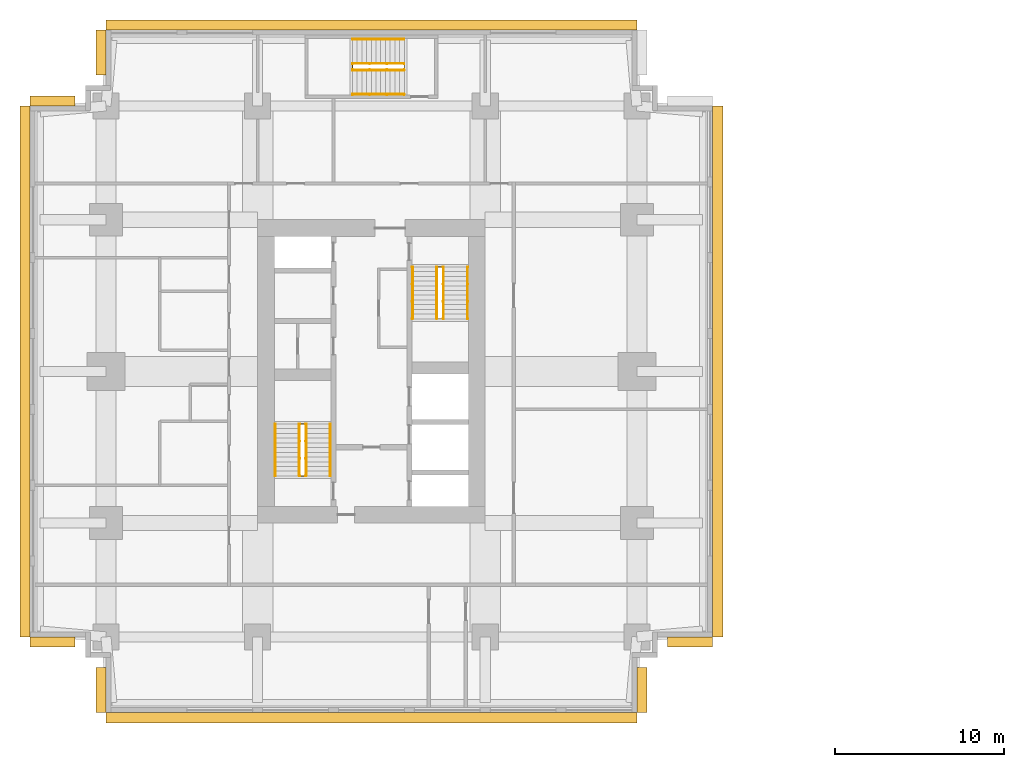
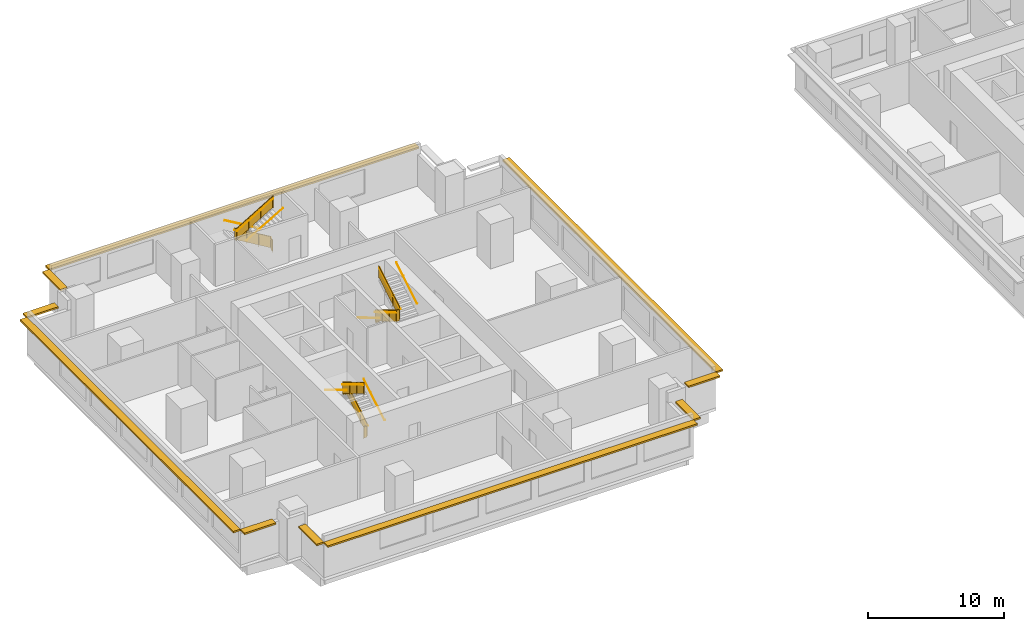
# One storey, part 10 of 11: 15 railings, 10 shading devices.
"""IFC4 building model written with IfcOpenShell, lengths in metres."""

from ifc_helpers import new_model, si_unit, direction, frame, origin, origin_2d, place, context, subcontext, project, spatial, polyline, rectangle, circle, outline, extrude, material, layer, layer_set, type_object, element, save


model = new_model("IFC4")

# Units and contexts
model_context = context("Model", 3, precision=1e-05, world=origin(), true_north=direction((0.0, 1.0)))
body_context = subcontext(model_context, "Body", "Model", "MODEL_VIEW")
ifc_project = project(units=[si_unit("LENGTHUNIT", "METRE"), si_unit("AREAUNIT", "SQUARE_METRE"), si_unit("VOLUMEUNIT", "CUBIC_METRE"), si_unit("PLANEANGLEUNIT", "RADIAN"), si_unit("MASSUNIT", "GRAM", prefix="KILO")], contexts=[model_context])

# Site, building, storey
site_placement = place(None, origin())
site = spatial("IfcSite", under=ifc_project, at=site_placement, CompositionType="ELEMENT")
building_placement = place(site_placement, origin())
building = spatial("IfcBuilding", under=site, at=building_placement, Name="Namib Vertical Campus", CompositionType="ELEMENT")
storey_placement = place(building_placement, frame((0.0, 0.0, 205.0)))
storey = spatial("IfcBuildingStorey", under=building, at=storey_placement, Name="L48", CompositionType="ELEMENT", Elevation=205.0)

# Railings
ifc_material_1 = material(Name="Steel handrail", Category="steel")
railing_type_1 = type_object("IfcRailingType", Name="Handrail 900", PredefinedType="HANDRAIL", material=ifc_material_1)
railing_1_placement = place(storey_placement, frame((17.800048828125, 14.050048828125, 0.166748046875)))
element("IfcRailing", 1, at=railing_1_placement, inside=storey, type_object=railing_type_1, Name="Handrail HR1 A-S1 L48 1", PredefinedType="HANDRAIL", context=body_context, shape_type="SweptSolid", body=[
    extrude(circle(Radius=0.02392578125, at=origin_2d()), frame((0.0, 0.0, 0.8759765625), z_axis=(0.0, 0.859290745958, 0.51148745235), x_axis=(-1.0, 0.0, 0.0)), (0.0, 0.0, 1.0), 3.584228515625),
    extrude(circle(Radius=0.008056640625, at=origin_2d()), frame((0.0, 0.0, 0.8759765625), z_axis=(1.0, 0.0, 0.0), x_axis=(0.0, 0.0, 1.0)), (0.0, 0.0, 1.0), 0.050048828125),
    extrude(circle(Radius=0.008056640625, at=origin_2d()), frame((0.0, 1.026611328125, 1.48681640625), z_axis=(1.0, 0.0, 0.0), x_axis=(0.0, 0.0, 1.0)), (0.0, 0.0, 1.0), 0.050048828125),
    extrude(circle(Radius=0.008056640625, at=origin_2d()), frame((0.0, 2.05322265625, 2.09814453125), z_axis=(1.0, 0.0, 0.0), x_axis=(0.0, 0.0, 1.0)), (0.0, 0.0, 1.0), 0.050048828125),
    extrude(circle(Radius=0.008056640625, at=origin_2d()), frame((0.0, 3.079833984375, 2.708984375), z_axis=(1.0, 0.0, 0.0), x_axis=(0.0, 0.0, 1.0)), (0.0, 0.0, 1.0), 0.050048828125),
])
railing_2_placement = place(storey_placement, frame((14.550048828125, 17.1298828125, 2.166748046875)))
element("IfcRailing", 2, at=railing_2_placement, inside=storey, type_object=railing_type_1, Name="Handrail HR1 A-S1 L48 2", PredefinedType="HANDRAIL", context=body_context, shape_type="SweptSolid", body=[
    extrude(circle(Radius=0.02392578125, at=origin_2d()), frame((0.0, 0.0, 0.8759765625), z_axis=(0.0, -0.859290745958, 0.51148745235), x_axis=(1.0, 0.0, 0.0)), (0.0, 0.0, 1.0), 3.584228515625),
    extrude(circle(Radius=0.008056640625, at=origin_2d()), frame((0.0, 0.0, 0.8759765625), z_axis=(-1.0, 0.0, 0.0), x_axis=(0.0, 0.0, 1.0)), (0.0, 0.0, 1.0), 0.050048828125),
    extrude(circle(Radius=0.008056640625, at=origin_2d()), frame((0.0, -1.026611328125, 1.48681640625), z_axis=(-1.0, 0.0, 0.0), x_axis=(0.0, 0.0, 1.0)), (0.0, 0.0, 1.0), 0.050048828125),
    extrude(circle(Radius=0.008056640625, at=origin_2d()), frame((0.0, -2.05322265625, 2.09814453125), z_axis=(-1.0, 0.0, 0.0), x_axis=(0.0, 0.0, 1.0)), (0.0, 0.0, 1.0), 0.050048828125),
    extrude(circle(Radius=0.008056640625, at=origin_2d()), frame((0.0, -3.079833984375, 2.708984375), z_axis=(-1.0, 0.0, 0.0), x_axis=(0.0, 0.0, 1.0)), (0.0, 0.0, 1.0), 0.050048828125),
])
railing_3_placement = place(storey_placement, frame((16.375, 14.050048828125, 0.166748046875)))
element("IfcRailing", 3, at=railing_3_placement, inside=storey, type_object=railing_type_1, Name="Handrail HR1 A-S1 L48 1 at the well", PredefinedType="HANDRAIL", context=body_context, shape_type="SweptSolid", body=[
    extrude(circle(Radius=0.02392578125, at=origin_2d()), frame((0.0, 0.0, 0.8759765625), z_axis=(0.0, 0.859290745958, 0.51148745235), x_axis=(-1.0, 0.0, 0.0)), (0.0, 0.0, 1.0), 3.584228515625),
    extrude(circle(Radius=0.008056640625, at=origin_2d()), frame((0.0, 0.0, 0.8759765625), z_axis=(-1.0, 0.0, 0.0), x_axis=(0.0, 0.0, 1.0)), (0.0, 0.0, 1.0), 0.0400390625),
    extrude(circle(Radius=0.008056640625, at=origin_2d()), frame((0.0, 1.026611328125, 1.48681640625), z_axis=(-1.0, 0.0, 0.0), x_axis=(0.0, 0.0, 1.0)), (0.0, 0.0, 1.0), 0.0400390625),
    extrude(circle(Radius=0.008056640625, at=origin_2d()), frame((0.0, 2.05322265625, 2.09814453125), z_axis=(-1.0, 0.0, 0.0), x_axis=(0.0, 0.0, 1.0)), (0.0, 0.0, 1.0), 0.0400390625),
    extrude(circle(Radius=0.008056640625, at=origin_2d()), frame((0.0, 3.079833984375, 2.708984375), z_axis=(-1.0, 0.0, 0.0), x_axis=(0.0, 0.0, 1.0)), (0.0, 0.0, 1.0), 0.0400390625),
])
railing_4_placement = place(storey_placement, frame((15.97509765625, 17.1298828125, 2.166748046875)))
element("IfcRailing", 4, at=railing_4_placement, inside=storey, type_object=railing_type_1, Name="Handrail HR1 A-S1 L48 2 at the well", PredefinedType="HANDRAIL", context=body_context, shape_type="SweptSolid", body=[
    extrude(circle(Radius=0.02392578125, at=origin_2d()), frame((0.0, 0.0, 0.8759765625), z_axis=(0.0, -0.859290745958, 0.51148745235), x_axis=(1.0, 0.0, 0.0)), (0.0, 0.0, 1.0), 3.584228515625),
    extrude(circle(Radius=0.008056640625, at=origin_2d()), frame((0.0, 0.0, 0.8759765625), z_axis=(1.0, 0.0, 0.0), x_axis=(0.0, 0.0, 1.0)), (0.0, 0.0, 1.0), 0.0400390625),
    extrude(circle(Radius=0.008056640625, at=origin_2d()), frame((0.0, -1.026611328125, 1.48681640625), z_axis=(1.0, 0.0, 0.0), x_axis=(0.0, 0.0, 1.0)), (0.0, 0.0, 1.0), 0.0400390625),
    extrude(circle(Radius=0.008056640625, at=origin_2d()), frame((0.0, -2.05322265625, 2.09814453125), z_axis=(1.0, 0.0, 0.0), x_axis=(0.0, 0.0, 1.0)), (0.0, 0.0, 1.0), 0.0400390625),
    extrude(circle(Radius=0.008056640625, at=origin_2d()), frame((0.0, -3.079833984375, 2.708984375), z_axis=(1.0, 0.0, 0.0), x_axis=(0.0, 0.0, 1.0)), (0.0, 0.0, 1.0), 0.0400390625),
])
railing_5_placement = place(storey_placement, frame((22.699951171875, 26.449951171875, 0.166748046875)))
element("IfcRailing", 5, at=railing_5_placement, inside=storey, type_object=railing_type_1, Name="Handrail HR1 A-S2 L48 1", PredefinedType="HANDRAIL", context=body_context, shape_type="SweptSolid", body=[
    extrude(circle(Radius=0.02392578125, at=origin_2d()), frame((0.0, 0.0, 0.8759765625), z_axis=(0.0, -0.859290745958, 0.51148745235), x_axis=(1.0, 0.0, 0.0)), (0.0, 0.0, 1.0), 3.584228515625),
    extrude(circle(Radius=0.008056640625, at=origin_2d()), frame((0.0, 0.0, 0.8759765625), z_axis=(-1.0, 0.0, 0.0), x_axis=(0.0, 0.0, 1.0)), (0.0, 0.0, 1.0), 0.050048828125),
    extrude(circle(Radius=0.008056640625, at=origin_2d()), frame((0.0, -1.026611328125, 1.48681640625), z_axis=(-1.0, 0.0, 0.0), x_axis=(0.0, 0.0, 1.0)), (0.0, 0.0, 1.0), 0.050048828125),
    extrude(circle(Radius=0.008056640625, at=origin_2d()), frame((0.0, -2.05322265625, 2.09814453125), z_axis=(-1.0, 0.0, 0.0), x_axis=(0.0, 0.0, 1.0)), (0.0, 0.0, 1.0), 0.050048828125),
    extrude(circle(Radius=0.008056640625, at=origin_2d()), frame((0.0, -3.079833984375, 2.708984375), z_axis=(-1.0, 0.0, 0.0), x_axis=(0.0, 0.0, 1.0)), (0.0, 0.0, 1.0), 0.050048828125),
])
railing_6_placement = place(storey_placement, frame((25.949951171875, 23.3701171875, 2.166748046875)))
element("IfcRailing", 6, at=railing_6_placement, inside=storey, type_object=railing_type_1, Name="Handrail HR1 A-S2 L48 2", PredefinedType="HANDRAIL", context=body_context, shape_type="SweptSolid", body=[
    extrude(circle(Radius=0.02392578125, at=origin_2d()), frame((0.0, 0.0, 0.8759765625), z_axis=(0.0, 0.859290745958, 0.51148745235), x_axis=(-1.0, 0.0, 0.0)), (0.0, 0.0, 1.0), 3.584228515625),
    extrude(circle(Radius=0.008056640625, at=origin_2d()), frame((0.0, 0.0, 0.8759765625), z_axis=(1.0, 0.0, 0.0), x_axis=(0.0, 0.0, 1.0)), (0.0, 0.0, 1.0), 0.050048828125),
    extrude(circle(Radius=0.008056640625, at=origin_2d()), frame((0.0, 1.026611328125, 1.48681640625), z_axis=(1.0, 0.0, 0.0), x_axis=(0.0, 0.0, 1.0)), (0.0, 0.0, 1.0), 0.050048828125),
    extrude(circle(Radius=0.008056640625, at=origin_2d()), frame((0.0, 2.05322265625, 2.09814453125), z_axis=(1.0, 0.0, 0.0), x_axis=(0.0, 0.0, 1.0)), (0.0, 0.0, 1.0), 0.050048828125),
    extrude(circle(Radius=0.008056640625, at=origin_2d()), frame((0.0, 3.079833984375, 2.708984375), z_axis=(1.0, 0.0, 0.0), x_axis=(0.0, 0.0, 1.0)), (0.0, 0.0, 1.0), 0.050048828125),
])
railing_7_placement = place(storey_placement, frame((24.125, 26.449951171875, 0.166748046875)))
element("IfcRailing", 7, at=railing_7_placement, inside=storey, type_object=railing_type_1, Name="Handrail HR1 A-S2 L48 1 at the well", PredefinedType="HANDRAIL", context=body_context, shape_type="SweptSolid", body=[
    extrude(circle(Radius=0.02392578125, at=origin_2d()), frame((0.0, 0.0, 0.8759765625), z_axis=(0.0, -0.859290745958, 0.51148745235), x_axis=(1.0, 0.0, 0.0)), (0.0, 0.0, 1.0), 3.584228515625),
    extrude(circle(Radius=0.008056640625, at=origin_2d()), frame((0.0, 0.0, 0.8759765625), z_axis=(1.0, 0.0, 0.0), x_axis=(0.0, 0.0, 1.0)), (0.0, 0.0, 1.0), 0.0400390625),
    extrude(circle(Radius=0.008056640625, at=origin_2d()), frame((0.0, -1.026611328125, 1.48681640625), z_axis=(1.0, 0.0, 0.0), x_axis=(0.0, 0.0, 1.0)), (0.0, 0.0, 1.0), 0.0400390625),
    extrude(circle(Radius=0.008056640625, at=origin_2d()), frame((0.0, -2.05322265625, 2.09814453125), z_axis=(1.0, 0.0, 0.0), x_axis=(0.0, 0.0, 1.0)), (0.0, 0.0, 1.0), 0.0400390625),
    extrude(circle(Radius=0.008056640625, at=origin_2d()), frame((0.0, -3.079833984375, 2.708984375), z_axis=(1.0, 0.0, 0.0), x_axis=(0.0, 0.0, 1.0)), (0.0, 0.0, 1.0), 0.0400390625),
])
railing_8_placement = place(storey_placement, frame((24.52490234375, 23.3701171875, 2.166748046875)))
element("IfcRailing", 8, at=railing_8_placement, inside=storey, type_object=railing_type_1, Name="Handrail HR1 A-S2 L48 2 at the well", PredefinedType="HANDRAIL", context=body_context, shape_type="SweptSolid", body=[
    extrude(circle(Radius=0.02392578125, at=origin_2d()), frame((0.0, 0.0, 0.8759765625), z_axis=(0.0, 0.859290745958, 0.51148745235), x_axis=(-1.0, 0.0, 0.0)), (0.0, 0.0, 1.0), 3.584228515625),
    extrude(circle(Radius=0.008056640625, at=origin_2d()), frame((0.0, 0.0, 0.8759765625), z_axis=(-1.0, 0.0, 0.0), x_axis=(0.0, 0.0, 1.0)), (0.0, 0.0, 1.0), 0.0400390625),
    extrude(circle(Radius=0.008056640625, at=origin_2d()), frame((0.0, 1.026611328125, 1.48681640625), z_axis=(-1.0, 0.0, 0.0), x_axis=(0.0, 0.0, 1.0)), (0.0, 0.0, 1.0), 0.0400390625),
    extrude(circle(Radius=0.008056640625, at=origin_2d()), frame((0.0, 2.05322265625, 2.09814453125), z_axis=(-1.0, 0.0, 0.0), x_axis=(0.0, 0.0, 1.0)), (0.0, 0.0, 1.0), 0.0400390625),
    extrude(circle(Radius=0.008056640625, at=origin_2d()), frame((0.0, 3.079833984375, 2.708984375), z_axis=(-1.0, 0.0, 0.0), x_axis=(0.0, 0.0, 1.0)), (0.0, 0.0, 1.0), 0.0400390625),
])
railing_9_placement = place(storey_placement, frame((22.199951171875, 39.949951171875, 0.166748046875)))
element("IfcRailing", 9, at=railing_9_placement, inside=storey, type_object=railing_type_1, Name="Handrail HR1 A-S3 L48 1", PredefinedType="HANDRAIL", context=body_context, shape_type="SweptSolid", body=[
    extrude(circle(Radius=0.02392578125, at=origin_2d()), frame((0.0, 0.0, 0.8759765625), z_axis=(-0.859290745958, 0.0, 0.51148745235), x_axis=(0.0, -1.0, 0.0)), (0.0, 0.0, 1.0), 3.584228515625),
    extrude(circle(Radius=0.008056640625, at=origin_2d()), frame((0.0, 0.0, 0.8759765625), z_axis=(0.0, 1.0, 0.0), x_axis=(0.0, 0.0, 1.0)), (0.0, 0.0, 1.0), 0.050048828125),
    extrude(circle(Radius=0.008056640625, at=origin_2d()), frame((-1.026611328125, 0.0, 1.48681640625), z_axis=(0.0, 1.0, 0.0), x_axis=(0.0, 0.0, 1.0)), (0.0, 0.0, 1.0), 0.050048828125),
    extrude(circle(Radius=0.008056640625, at=origin_2d()), frame((-2.05322265625, 0.0, 2.09814453125), z_axis=(0.0, 1.0, 0.0), x_axis=(0.0, 0.0, 1.0)), (0.0, 0.0, 1.0), 0.050048828125),
    extrude(circle(Radius=0.008056640625, at=origin_2d()), frame((-3.079833984375, 0.0, 2.708984375), z_axis=(0.0, 1.0, 0.0), x_axis=(0.0, 0.0, 1.0)), (0.0, 0.0, 1.0), 0.050048828125),
])
railing_10_placement = place(storey_placement, frame((19.1201171875, 36.699951171875, 2.166748046875)))
element("IfcRailing", 10, at=railing_10_placement, inside=storey, type_object=railing_type_1, Name="Handrail HR1 A-S3 L48 2", PredefinedType="HANDRAIL", context=body_context, shape_type="SweptSolid", body=[
    extrude(circle(Radius=0.02392578125, at=origin_2d()), frame((0.0, 0.0, 0.8759765625), z_axis=(0.859290745958, 0.0, 0.51148745235), x_axis=(0.0, 1.0, 0.0)), (0.0, 0.0, 1.0), 3.584228515625),
    extrude(circle(Radius=0.008056640625, at=origin_2d()), frame((0.0, 0.0, 0.8759765625), z_axis=(0.0, -1.0, 0.0), x_axis=(0.0, 0.0, 1.0)), (0.0, 0.0, 1.0), 0.050048828125),
    extrude(circle(Radius=0.008056640625, at=origin_2d()), frame((1.026611328125, 0.0, 1.48681640625), z_axis=(0.0, -1.0, 0.0), x_axis=(0.0, 0.0, 1.0)), (0.0, 0.0, 1.0), 0.050048828125),
    extrude(circle(Radius=0.008056640625, at=origin_2d()), frame((2.05322265625, 0.0, 2.09814453125), z_axis=(0.0, -1.0, 0.0), x_axis=(0.0, 0.0, 1.0)), (0.0, 0.0, 1.0), 0.050048828125),
    extrude(circle(Radius=0.008056640625, at=origin_2d()), frame((3.079833984375, 0.0, 2.708984375), z_axis=(0.0, -1.0, 0.0), x_axis=(0.0, 0.0, 1.0)), (0.0, 0.0, 1.0), 0.050048828125),
])
railing_11_placement = place(storey_placement, frame((22.199951171875, 38.52490234375, 0.166748046875)))
element("IfcRailing", 11, at=railing_11_placement, inside=storey, type_object=railing_type_1, Name="Handrail HR1 A-S3 L48 1 at the well", PredefinedType="HANDRAIL", context=body_context, shape_type="SweptSolid", body=[
    extrude(circle(Radius=0.02392578125, at=origin_2d()), frame((0.0, 0.0, 0.8759765625), z_axis=(-0.859290745958, 0.0, 0.51148745235), x_axis=(0.0, -1.0, 0.0)), (0.0, 0.0, 1.0), 3.584228515625),
    extrude(circle(Radius=0.008056640625, at=origin_2d()), frame((0.0, 0.0, 0.8759765625), z_axis=(0.0, -1.0, 0.0), x_axis=(0.0, 0.0, 1.0)), (0.0, 0.0, 1.0), 0.0400390625),
    extrude(circle(Radius=0.008056640625, at=origin_2d()), frame((-1.026611328125, 0.0, 1.48681640625), z_axis=(0.0, -1.0, 0.0), x_axis=(0.0, 0.0, 1.0)), (0.0, 0.0, 1.0), 0.0400390625),
    extrude(circle(Radius=0.008056640625, at=origin_2d()), frame((-2.05322265625, 0.0, 2.09814453125), z_axis=(0.0, -1.0, 0.0), x_axis=(0.0, 0.0, 1.0)), (0.0, 0.0, 1.0), 0.0400390625),
    extrude(circle(Radius=0.008056640625, at=origin_2d()), frame((-3.079833984375, 0.0, 2.708984375), z_axis=(0.0, -1.0, 0.0), x_axis=(0.0, 0.0, 1.0)), (0.0, 0.0, 1.0), 0.0400390625),
])
railing_12_placement = place(storey_placement, frame((19.1201171875, 38.125, 2.166748046875)))
element("IfcRailing", 12, at=railing_12_placement, inside=storey, type_object=railing_type_1, Name="Handrail HR1 A-S3 L48 2 at the well", PredefinedType="HANDRAIL", context=body_context, shape_type="SweptSolid", body=[
    extrude(circle(Radius=0.02392578125, at=origin_2d()), frame((0.0, 0.0, 0.8759765625), z_axis=(0.859290745958, 0.0, 0.51148745235), x_axis=(0.0, 1.0, 0.0)), (0.0, 0.0, 1.0), 3.584228515625),
    extrude(circle(Radius=0.008056640625, at=origin_2d()), frame((0.0, 0.0, 0.8759765625), z_axis=(0.0, 1.0, 0.0), x_axis=(0.0, 0.0, 1.0)), (0.0, 0.0, 1.0), 0.0400390625),
    extrude(circle(Radius=0.008056640625, at=origin_2d()), frame((1.026611328125, 0.0, 1.48681640625), z_axis=(0.0, 1.0, 0.0), x_axis=(0.0, 0.0, 1.0)), (0.0, 0.0, 1.0), 0.0400390625),
    extrude(circle(Radius=0.008056640625, at=origin_2d()), frame((2.05322265625, 0.0, 2.09814453125), z_axis=(0.0, 1.0, 0.0), x_axis=(0.0, 0.0, 1.0)), (0.0, 0.0, 1.0), 0.0400390625),
    extrude(circle(Radius=0.008056640625, at=origin_2d()), frame((3.079833984375, 0.0, 2.708984375), z_axis=(0.0, 1.0, 0.0), x_axis=(0.0, 0.0, 1.0)), (0.0, 0.0, 1.0), 0.0400390625),
])
ifc_material_2 = material(Name="Steel balustrade", Category="steel")
railing_type_2 = type_object("IfcRailingType", Name="Stair guard 1100", PredefinedType="GUARDRAIL", material=ifc_material_2)
railing_13_placement = place(storey_placement, frame((16.02490234375, 14.050048828125, 0.0)))
element("IfcRailing", 13, at=railing_13_placement, inside=storey, type_object=railing_type_2, Name="Stair guard GR1 A-S1 L48", PredefinedType="GUARDRAIL", context=body_context, shape_type="SweptSolid", body=[
    extrude(circle(Radius=0.02392578125, at=origin_2d()), frame((0.0, 0.0, 1.076171875), z_axis=(1.0, 0.0, 0.0), x_axis=(0.0, 1.0, 0.0)), (0.0, 0.0, 1.0), 0.300048828125),
    extrude(outline(polyline([(0.02099609375, 0.050048828125), (0.279052734375, 0.050048828125), (0.279052734375, 1.052001953125), (0.02099609375, 1.052001953125), (0.02099609375, 0.050048828125)])), frame((0.0, 0.010009765625, 0.0), z_axis=(0.0, -1.0, 0.0), x_axis=(1.0, 0.0, 0.0)), (0.0, 0.0, 1.0), 0.02001953125),
    extrude(circle(Radius=0.02392578125, at=origin_2d()), frame((0.300048828125, 0.0, 1.076171875), z_axis=(0.0, 0.0, 1.0), x_axis=(1.0, 0.0, 0.0)), (0.0, 0.0, 1.0), 0.166748046875),
    extrude(circle(Radius=0.02392578125, at=origin_2d()), frame((0.300048828125, 0.0, 1.24267578125), z_axis=(0.0, 0.859290745958, 0.51148745235), x_axis=(-1.0, 0.0, 0.0)), (0.0, 0.0, 1.0), 3.584228515625),
    extrude(outline(polyline([(0.02099609375, 0.0625), (3.058837890625, 1.870849609375), (3.058837890625, 2.872802734375), (0.02099609375, 1.064453125), (0.02099609375, 0.0625)])), frame((0.2900390625, 0.0, 0.166748046875), z_axis=(1.0, 0.0, 0.0), x_axis=(0.0, 1.0, 0.0)), (0.0, 0.0, 1.0), 0.02001953125),
    extrude(circle(Radius=0.02392578125, at=origin_2d()), frame((0.300048828125, 3.079833984375, 3.076171875), z_axis=(-1.0, 0.0, 0.0), x_axis=(0.0, -1.0, 0.0)), (0.0, 0.0, 1.0), 0.300048828125),
    extrude(outline(polyline([(0.02099609375, 0.050048828125), (0.279052734375, 0.050048828125), (0.279052734375, 1.052001953125), (0.02099609375, 1.052001953125), (0.02099609375, 0.050048828125)])), frame((0.300048828125, 3.06982421875, 2.0), z_axis=(0.0, 1.0, 0.0), x_axis=(-1.0, 0.0, 0.0)), (0.0, 0.0, 1.0), 0.02001953125),
    extrude(circle(Radius=0.02392578125, at=origin_2d()), frame((0.0, 3.079833984375, 3.076171875), z_axis=(0.0, 0.0, 1.0), x_axis=(1.0, 0.0, 0.0)), (0.0, 0.0, 1.0), 0.166748046875),
    extrude(circle(Radius=0.02392578125, at=origin_2d()), frame((0.0, 3.079833984375, 3.24267578125), z_axis=(0.0, -0.859290745958, 0.51148745235), x_axis=(1.0, 0.0, 0.0)), (0.0, 0.0, 1.0), 3.584228515625),
    extrude(outline(polyline([(0.02099609375, 0.0625), (3.058837890625, 1.870849609375), (3.058837890625, 2.872802734375), (0.02099609375, 1.064453125), (0.02099609375, 0.0625)])), frame((0.010009765625, 3.079833984375, 2.166748046875), z_axis=(-1.0, 0.0, 0.0), x_axis=(0.0, -1.0, 0.0)), (0.0, 0.0, 1.0), 0.02001953125),
    extrude(circle(Radius=0.02392578125, at=origin_2d()), frame((0.0, 0.0, 5.076171875), z_axis=(0.0, -1.0, 0.0), x_axis=(1.0, 0.0, 0.0)), (0.0, 0.0, 1.0), 0.050048828125),
    extrude(outline(polyline([(0.02099609375, 0.050048828125), (0.029052734375, 0.050048828125), (0.029052734375, 1.052001953125), (0.02099609375, 1.052001953125), (0.02099609375, 0.050048828125)])), frame((0.010009765625, 0.0, 4.0), z_axis=(-1.0, 0.0, 0.0), x_axis=(0.0, -1.0, 0.0)), (0.0, 0.0, 1.0), 0.02001953125),
    extrude(circle(Radius=0.02099609375, at=origin_2d()), origin(), (0.0, 0.0, 1.0), 1.052001953125),
    extrude(circle(Radius=0.02099609375, at=origin_2d()), frame((0.300048828125, 0.0, 0.166748046875)), (0.0, 0.0, 1.0), 1.052001953125),
    extrude(circle(Radius=0.02099609375, at=origin_2d()), frame((0.300048828125, 1.026611328125, 0.666748046875)), (0.0, 0.0, 1.0), 1.1630859375),
    extrude(circle(Radius=0.02099609375, at=origin_2d()), frame((0.300048828125, 2.05322265625, 1.33349609375)), (0.0, 0.0, 1.0), 1.107421875),
    extrude(circle(Radius=0.02099609375, at=origin_2d()), frame((0.300048828125, 3.079833984375, 2.0)), (0.0, 0.0, 1.0), 1.052001953125),
    extrude(circle(Radius=0.02099609375, at=origin_2d()), frame((0.0, 3.079833984375, 2.166748046875)), (0.0, 0.0, 1.0), 1.052001953125),
    extrude(circle(Radius=0.02099609375, at=origin_2d()), frame((0.0, 2.05322265625, 2.666748046875)), (0.0, 0.0, 1.0), 1.1630859375),
    extrude(circle(Radius=0.02099609375, at=origin_2d()), frame((0.0, 1.026611328125, 3.33349609375)), (0.0, 0.0, 1.0), 1.107421875),
    extrude(circle(Radius=0.02099609375, at=origin_2d()), frame((0.0, 0.0, 4.0)), (0.0, 0.0, 1.0), 1.052001953125),
    extrude(circle(Radius=0.02099609375, at=origin_2d()), frame((0.0, -0.050048828125, 4.0)), (0.0, 0.0, 1.0), 1.052001953125),
])
railing_14_placement = place(storey_placement, frame((24.47509765625, 26.449951171875, 0.0)))
element("IfcRailing", 14, at=railing_14_placement, inside=storey, type_object=railing_type_2, Name="Stair guard GR1 A-S2 L48", PredefinedType="GUARDRAIL", context=body_context, shape_type="SweptSolid", body=[
    extrude(circle(Radius=0.02392578125, at=origin_2d()), frame((0.0, 0.0, 1.076171875), z_axis=(-1.0, 0.0, 0.0), x_axis=(0.0, -1.0, 0.0)), (0.0, 0.0, 1.0), 0.300048828125),
    extrude(outline(polyline([(0.02099609375, 0.050048828125), (0.279052734375, 0.050048828125), (0.279052734375, 1.052001953125), (0.02099609375, 1.052001953125), (0.02099609375, 0.050048828125)])), frame((0.0, -0.010009765625, 0.0), z_axis=(0.0, 1.0, 0.0), x_axis=(-1.0, 0.0, 0.0)), (0.0, 0.0, 1.0), 0.02001953125),
    extrude(circle(Radius=0.02392578125, at=origin_2d()), frame((-0.300048828125, 0.0, 1.076171875), z_axis=(0.0, 0.0, 1.0), x_axis=(1.0, 0.0, 0.0)), (0.0, 0.0, 1.0), 0.166748046875),
    extrude(circle(Radius=0.02392578125, at=origin_2d()), frame((-0.300048828125, 0.0, 1.24267578125), z_axis=(0.0, -0.859290745958, 0.51148745235), x_axis=(1.0, 0.0, 0.0)), (0.0, 0.0, 1.0), 3.584228515625),
    extrude(outline(polyline([(0.02099609375, 0.0625), (3.058837890625, 1.870849609375), (3.058837890625, 2.872802734375), (0.02099609375, 1.064453125), (0.02099609375, 0.0625)])), frame((-0.2900390625, 0.0, 0.166748046875), z_axis=(-1.0, 0.0, 0.0), x_axis=(0.0, -1.0, 0.0)), (0.0, 0.0, 1.0), 0.02001953125),
    extrude(circle(Radius=0.02392578125, at=origin_2d()), frame((-0.300048828125, -3.079833984375, 3.076171875), z_axis=(1.0, 0.0, 0.0), x_axis=(0.0, 1.0, 0.0)), (0.0, 0.0, 1.0), 0.300048828125),
    extrude(outline(polyline([(0.02099609375, 0.050048828125), (0.279052734375, 0.050048828125), (0.279052734375, 1.052001953125), (0.02099609375, 1.052001953125), (0.02099609375, 0.050048828125)])), frame((-0.300048828125, -3.06982421875, 2.0), z_axis=(0.0, -1.0, 0.0), x_axis=(1.0, 0.0, 0.0)), (0.0, 0.0, 1.0), 0.02001953125),
    extrude(circle(Radius=0.02392578125, at=origin_2d()), frame((0.0, -3.079833984375, 3.076171875), z_axis=(0.0, 0.0, 1.0), x_axis=(1.0, 0.0, 0.0)), (0.0, 0.0, 1.0), 0.166748046875),
    extrude(circle(Radius=0.02392578125, at=origin_2d()), frame((0.0, -3.079833984375, 3.24267578125), z_axis=(0.0, 0.859290745958, 0.51148745235), x_axis=(-1.0, 0.0, 0.0)), (0.0, 0.0, 1.0), 3.584228515625),
    extrude(outline(polyline([(0.02099609375, 0.0625), (3.058837890625, 1.870849609375), (3.058837890625, 2.872802734375), (0.02099609375, 1.064453125), (0.02099609375, 0.0625)])), frame((-0.010009765625, -3.079833984375, 2.166748046875), z_axis=(1.0, 0.0, 0.0), x_axis=(0.0, 1.0, 0.0)), (0.0, 0.0, 1.0), 0.02001953125),
    extrude(circle(Radius=0.02392578125, at=origin_2d()), frame((0.0, 0.0, 5.076171875), z_axis=(0.0, 1.0, 0.0), x_axis=(-1.0, 0.0, 0.0)), (0.0, 0.0, 1.0), 0.050048828125),
    extrude(outline(polyline([(0.02099609375, 0.050048828125), (0.029052734375, 0.050048828125), (0.029052734375, 1.052001953125), (0.02099609375, 1.052001953125), (0.02099609375, 0.050048828125)])), frame((-0.010009765625, 0.0, 4.0), z_axis=(1.0, 0.0, 0.0), x_axis=(0.0, 1.0, 0.0)), (0.0, 0.0, 1.0), 0.02001953125),
    extrude(circle(Radius=0.02099609375, at=origin_2d()), origin(), (0.0, 0.0, 1.0), 1.052001953125),
    extrude(circle(Radius=0.02099609375, at=origin_2d()), frame((-0.300048828125, 0.0, 0.166748046875)), (0.0, 0.0, 1.0), 1.052001953125),
    extrude(circle(Radius=0.02099609375, at=origin_2d()), frame((-0.300048828125, -1.026611328125, 0.666748046875)), (0.0, 0.0, 1.0), 1.1630859375),
    extrude(circle(Radius=0.02099609375, at=origin_2d()), frame((-0.300048828125, -2.05322265625, 1.33349609375)), (0.0, 0.0, 1.0), 1.107421875),
    extrude(circle(Radius=0.02099609375, at=origin_2d()), frame((-0.300048828125, -3.079833984375, 2.0)), (0.0, 0.0, 1.0), 1.052001953125),
    extrude(circle(Radius=0.02099609375, at=origin_2d()), frame((0.0, -3.079833984375, 2.166748046875)), (0.0, 0.0, 1.0), 1.052001953125),
    extrude(circle(Radius=0.02099609375, at=origin_2d()), frame((0.0, -2.05322265625, 2.666748046875)), (0.0, 0.0, 1.0), 1.1630859375),
    extrude(circle(Radius=0.02099609375, at=origin_2d()), frame((0.0, -1.026611328125, 3.33349609375)), (0.0, 0.0, 1.0), 1.107421875),
    extrude(circle(Radius=0.02099609375, at=origin_2d()), frame((0.0, 0.0, 4.0)), (0.0, 0.0, 1.0), 1.052001953125),
    extrude(circle(Radius=0.02099609375, at=origin_2d()), frame((0.0, 0.050048828125, 4.0)), (0.0, 0.0, 1.0), 1.052001953125),
])
railing_15_placement = place(storey_placement, frame((22.199951171875, 38.175048828125, 0.0)))
element("IfcRailing", 15, at=railing_15_placement, inside=storey, type_object=railing_type_2, Name="Stair guard GR1 A-S3 L48", PredefinedType="GUARDRAIL", context=body_context, shape_type="SweptSolid", body=[
    extrude(circle(Radius=0.02392578125, at=origin_2d()), frame((0.0, 0.0, 1.076171875), z_axis=(0.0, 1.0, 0.0), x_axis=(-1.0, 0.0, 0.0)), (0.0, 0.0, 1.0), 0.300048828125),
    extrude(outline(polyline([(0.02099609375, 0.050048828125), (0.279052734375, 0.050048828125), (0.279052734375, 1.052001953125), (0.02099609375, 1.052001953125), (0.02099609375, 0.050048828125)])), frame((-0.010009765625, 0.0, 0.0), z_axis=(1.0, 0.0, 0.0), x_axis=(0.0, 1.0, 0.0)), (0.0, 0.0, 1.0), 0.02001953125),
    extrude(circle(Radius=0.02392578125, at=origin_2d()), frame((0.0, 0.300048828125, 1.076171875), z_axis=(0.0, 0.0, 1.0), x_axis=(1.0, 0.0, 0.0)), (0.0, 0.0, 1.0), 0.166748046875),
    extrude(circle(Radius=0.02392578125, at=origin_2d()), frame((0.0, 0.300048828125, 1.24267578125), z_axis=(-0.859290745958, 0.0, 0.51148745235), x_axis=(0.0, -1.0, 0.0)), (0.0, 0.0, 1.0), 3.584228515625),
    extrude(outline(polyline([(0.02099609375, 0.0625), (3.058837890625, 1.870849609375), (3.058837890625, 2.872802734375), (0.02099609375, 1.064453125), (0.02099609375, 0.0625)])), frame((0.0, 0.2900390625, 0.166748046875), z_axis=(0.0, 1.0, 0.0), x_axis=(-1.0, 0.0, 0.0)), (0.0, 0.0, 1.0), 0.02001953125),
    extrude(circle(Radius=0.02392578125, at=origin_2d()), frame((-3.079833984375, 0.300048828125, 3.076171875), z_axis=(0.0, -1.0, 0.0), x_axis=(1.0, 0.0, 0.0)), (0.0, 0.0, 1.0), 0.300048828125),
    extrude(outline(polyline([(0.02099609375, 0.050048828125), (0.279052734375, 0.050048828125), (0.279052734375, 1.052001953125), (0.02099609375, 1.052001953125), (0.02099609375, 0.050048828125)])), frame((-3.06982421875, 0.300048828125, 2.0), z_axis=(-1.0, 0.0, 0.0), x_axis=(0.0, -1.0, 0.0)), (0.0, 0.0, 1.0), 0.02001953125),
    extrude(circle(Radius=0.02392578125, at=origin_2d()), frame((-3.079833984375, 0.0, 3.076171875), z_axis=(0.0, 0.0, 1.0), x_axis=(1.0, 0.0, 0.0)), (0.0, 0.0, 1.0), 0.166748046875),
    extrude(circle(Radius=0.02392578125, at=origin_2d()), frame((-3.079833984375, 0.0, 3.24267578125), z_axis=(0.859290745958, 0.0, 0.51148745235), x_axis=(0.0, 1.0, 0.0)), (0.0, 0.0, 1.0), 3.584228515625),
    extrude(outline(polyline([(0.02099609375, 0.0625), (3.058837890625, 1.870849609375), (3.058837890625, 2.872802734375), (0.02099609375, 1.064453125), (0.02099609375, 0.0625)])), frame((-3.079833984375, 0.010009765625, 2.166748046875), z_axis=(0.0, -1.0, 0.0), x_axis=(1.0, 0.0, 0.0)), (0.0, 0.0, 1.0), 0.02001953125),
    extrude(circle(Radius=0.02392578125, at=origin_2d()), frame((0.0, 0.0, 5.076171875), z_axis=(1.0, 0.0, 0.0), x_axis=(0.0, 1.0, 0.0)), (0.0, 0.0, 1.0), 0.050048828125),
    extrude(outline(polyline([(0.02099609375, 0.050048828125), (0.029052734375, 0.050048828125), (0.029052734375, 1.052001953125), (0.02099609375, 1.052001953125), (0.02099609375, 0.050048828125)])), frame((0.0, 0.010009765625, 4.0), z_axis=(0.0, -1.0, 0.0), x_axis=(1.0, 0.0, 0.0)), (0.0, 0.0, 1.0), 0.02001953125),
    extrude(circle(Radius=0.02099609375, at=origin_2d()), origin(), (0.0, 0.0, 1.0), 1.052001953125),
    extrude(circle(Radius=0.02099609375, at=origin_2d()), frame((0.0, 0.300048828125, 0.166748046875)), (0.0, 0.0, 1.0), 1.052001953125),
    extrude(circle(Radius=0.02099609375, at=origin_2d()), frame((-1.026611328125, 0.300048828125, 0.666748046875)), (0.0, 0.0, 1.0), 1.1630859375),
    extrude(circle(Radius=0.02099609375, at=origin_2d()), frame((-2.05322265625, 0.300048828125, 1.33349609375)), (0.0, 0.0, 1.0), 1.107421875),
    extrude(circle(Radius=0.02099609375, at=origin_2d()), frame((-3.079833984375, 0.300048828125, 2.0)), (0.0, 0.0, 1.0), 1.052001953125),
    extrude(circle(Radius=0.02099609375, at=origin_2d()), frame((-3.079833984375, 0.0, 2.166748046875)), (0.0, 0.0, 1.0), 1.052001953125),
    extrude(circle(Radius=0.02099609375, at=origin_2d()), frame((-2.05322265625, 0.0, 2.666748046875)), (0.0, 0.0, 1.0), 1.1630859375),
    extrude(circle(Radius=0.02099609375, at=origin_2d()), frame((-1.026611328125, 0.0, 3.33349609375)), (0.0, 0.0, 1.0), 1.107421875),
    extrude(circle(Radius=0.02099609375, at=origin_2d()), frame((0.0, 0.0, 4.0)), (0.0, 0.0, 1.0), 1.052001953125),
    extrude(circle(Radius=0.02099609375, at=origin_2d()), frame((0.050048828125, 0.0, 4.0)), (0.0, 0.0, 1.0), 1.052001953125),
])

# Shading devices
ifc_material_3 = material(Name="Concrete C40/50 precast", Category="concrete")
ifc_layer = layer(ifc_material_3, 0.14990234375)
ifc_layer_set = layer_set([ifc_layer], Name="Concrete C40/50 precast")
shading_device_type = type_object("IfcShadingDeviceType", Name="Sunshade hood 600", PredefinedType="SHUTTER", material=ifc_layer_set)
shading_device_1_placement = place(storey_placement, frame((20.25, -0.300048828125, 3.10009765625), z_axis=(0.0, 0.0, 1.0), x_axis=(1.0, 0.0, 0.0)))
element("IfcShadingDevice", 16, at=shading_device_1_placement, inside=storey, type_object=shading_device_type, Name="Sunshade SH3 L48 1", PredefinedType="SHUTTER", context=body_context, shape_type="SweptSolid", body=[
    extrude(rectangle(XDim=31.5, YDim=0.60009765625, at=origin_2d()), origin(), (0.0, 0.0, 1.0), 0.14990234375),
])
for number, where, z_axis, x_axis, name in (
    (17, (36.300048828125, 1.33740234375, 3.10009765625), (0.0, 0.0, 1.0), (0.0, 1.0, 0.0), "Sunshade SH3 L48 2"),
    (18, (39.16259765625, 4.199951171875, 3.10009765625), (0.0, 0.0, 1.0), (1.0, 0.0, 0.0), "Sunshade SH3 L48 5"),
):
    element("IfcShadingDevice", number, at=place(storey_placement, frame(where, z_axis=z_axis, x_axis=x_axis)), inside=storey, type_object=shading_device_type, Name=name, PredefinedType="SHUTTER", context=body_context, shape_type="SweptSolid", body=[
        extrude(rectangle(XDim=2.675048828125, YDim=0.60009765625, at=origin_2d()), origin(), (0.0, 0.0, 1.0), 0.14990234375),
    ])
for number, where, z_axis, x_axis, name in (
    (19, (40.800048828125, 20.25, 3.10009765625), (0.0, 0.0, 1.0), (0.0, 1.0, 0.0), "Sunshade SH3 L48 6"),
    (20, (20.25, 40.800048828125, 3.10009765625), (0.0, 0.0, 1.0), (-1.0, 0.0, 0.0), "Sunshade SH3 L48 11"),
):
    element("IfcShadingDevice", number, at=place(storey_placement, frame(where, z_axis=z_axis, x_axis=x_axis)), inside=storey, type_object=shading_device_type, Name=name, PredefinedType="SHUTTER", context=body_context, shape_type="SweptSolid", body=[
        extrude(rectangle(XDim=31.5, YDim=0.60009765625, at=origin_2d()), origin(), (0.0, 0.0, 1.0), 0.14990234375),
    ])
for number, where, z_axis, x_axis, name in (
    (21, (4.199951171875, 39.16259765625, 3.10009765625), (0.0, 0.0, 1.0), (0.0, -1.0, 0.0), "Sunshade SH3 L48 12"),
    (22, (1.33740234375, 36.300048828125, 3.10009765625), (0.0, 0.0, 1.0), (-1.0, 0.0, 0.0), "Sunshade SH3 L48 15"),
):
    element("IfcShadingDevice", number, at=place(storey_placement, frame(where, z_axis=z_axis, x_axis=x_axis)), inside=storey, type_object=shading_device_type, Name=name, PredefinedType="SHUTTER", context=body_context, shape_type="SweptSolid", body=[
        extrude(rectangle(XDim=2.675048828125, YDim=0.60009765625, at=origin_2d()), origin(), (0.0, 0.0, 1.0), 0.14990234375),
    ])
shading_device_2_placement = place(storey_placement, frame((-0.300048828125, 20.25, 3.10009765625), z_axis=(0.0, 0.0, 1.0), x_axis=(0.0, -1.0, 0.0)))
element("IfcShadingDevice", 23, at=shading_device_2_placement, inside=storey, type_object=shading_device_type, Name="Sunshade SH3 L48 16", PredefinedType="SHUTTER", context=body_context, shape_type="SweptSolid", body=[
    extrude(rectangle(XDim=31.5, YDim=0.60009765625, at=origin_2d()), origin(), (0.0, 0.0, 1.0), 0.14990234375),
])
for number, where, z_axis, x_axis, name in (
    (24, (1.33740234375, 4.199951171875, 3.10009765625), (0.0, 0.0, 1.0), (1.0, 0.0, 0.0), "Sunshade SH3 L48 17"),
    (25, (4.199951171875, 1.33740234375, 3.10009765625), (0.0, 0.0, 1.0), (0.0, -1.0, 0.0), "Sunshade SH3 L48 20"),
):
    element("IfcShadingDevice", number, at=place(storey_placement, frame(where, z_axis=z_axis, x_axis=x_axis)), inside=storey, type_object=shading_device_type, Name=name, PredefinedType="SHUTTER", context=body_context, shape_type="SweptSolid", body=[
        extrude(rectangle(XDim=2.675048828125, YDim=0.60009765625, at=origin_2d()), origin(), (0.0, 0.0, 1.0), 0.14990234375),
    ])

save(model, "model.ifc")
